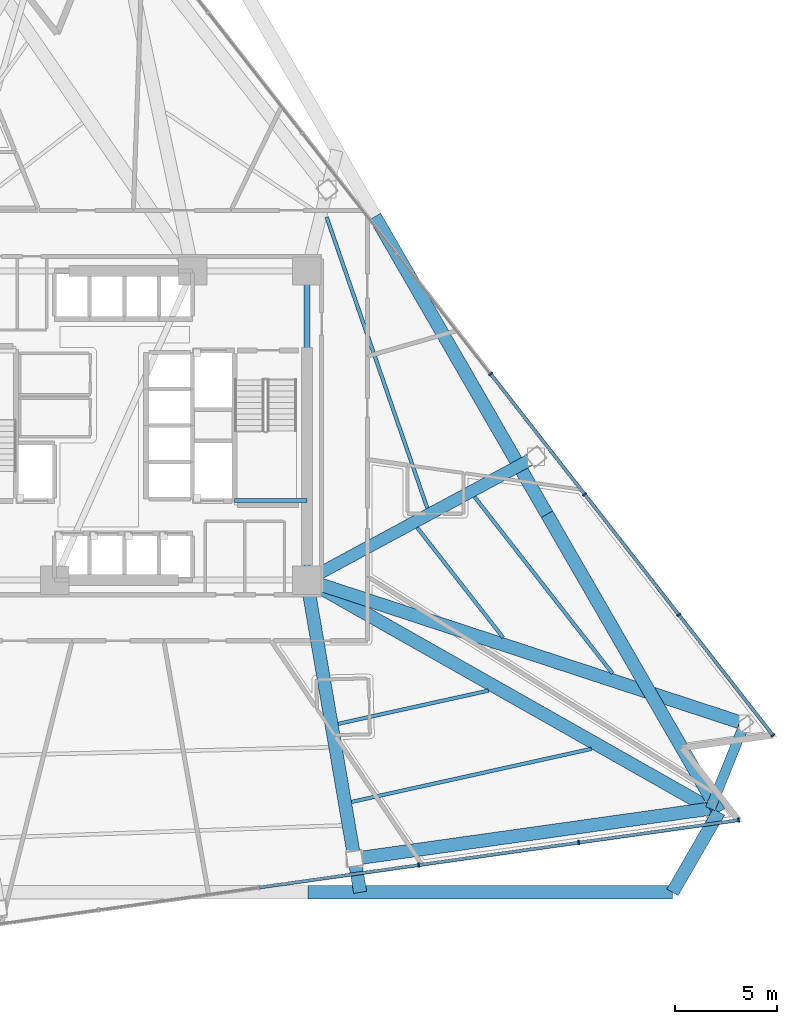
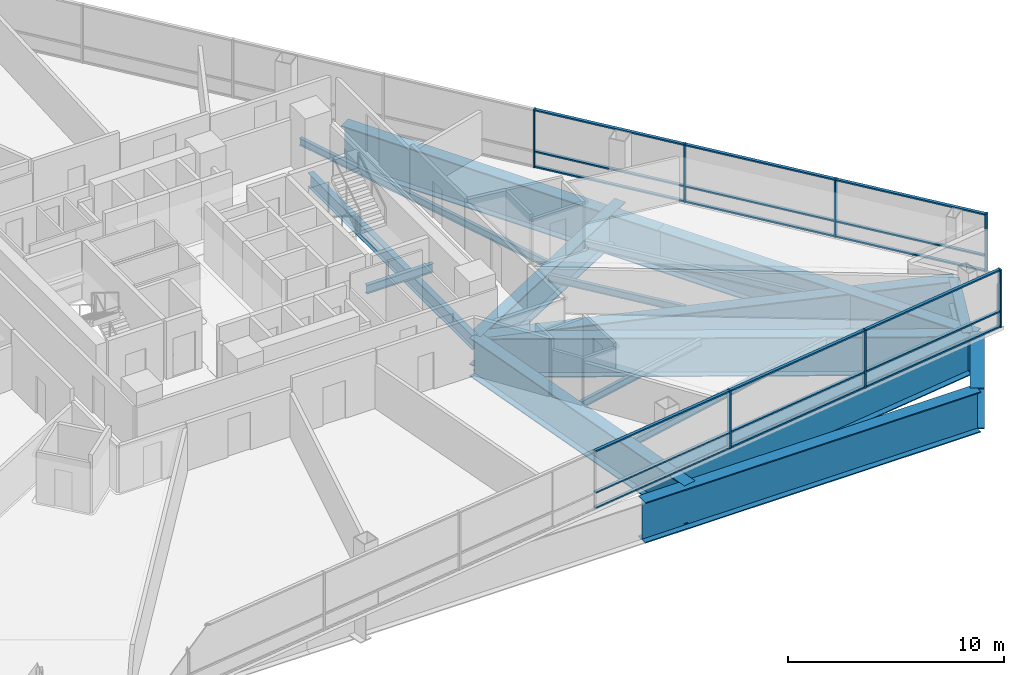
# One storey, part 4 of 15: 25 members, 17 beams, 2 elements without a shape of their own.
"""IFC4 building model written with IfcOpenShell, lengths in metres."""

from ifc_helpers import new_model, si_unit, direction, frame, origin, origin_2d, place, context, subcontext, project, spatial, rectangle, i_section, extrude, material, layer, layer_set, material_profile, profile_set, type_object, element, aggregate, save


model = new_model("IFC4")

# Units and contexts
model_context = context("Model", 3, precision=1e-05, world=origin(), true_north=direction((0.0, 1.0)))
body_context = subcontext(model_context, "Body", "Model", "MODEL_VIEW")
ifc_project = project(units=[si_unit("LENGTHUNIT", "METRE"), si_unit("AREAUNIT", "SQUARE_METRE"), si_unit("VOLUMEUNIT", "CUBIC_METRE"), si_unit("PLANEANGLEUNIT", "RADIAN"), si_unit("MASSUNIT", "GRAM", prefix="KILO")], contexts=[model_context])

# Site, building, storey
site_placement = place(None, origin())
site = spatial("IfcSite", under=ifc_project, at=site_placement, CompositionType="ELEMENT")
building_placement = place(site_placement, origin())
building = spatial("IfcBuilding", under=site, at=building_placement, Name="Tharavind Bronze Gate", CompositionType="ELEMENT")
storey_placement = place(building_placement, frame((0.0, 0.0, 57.0)))
storey = spatial("IfcBuildingStorey", under=building, at=storey_placement, Name="L13", CompositionType="ELEMENT", Elevation=57.0)

# Curtain wall, members
ifc_material_1 = material(Name="Anodised Bronze Aluminium", Category="aluminium")
ifc_layer = layer(ifc_material_1, 0.219970703125)
ifc_layer_set = layer_set([ifc_layer], Name="Anodised Bronze Aluminium")
curtain_wall_type = type_object("IfcCurtainWallType", Name="UNITISED CURTAIN WALL HOTEL", PredefinedType="USERDEFINED", material=ifc_layer_set)
curtain_wall_1_placement = place(storey_placement, origin())
curtain_wall_1 = element("IfcCurtainWall", 1, at=curtain_wall_1_placement, inside=storey, type_object=curtain_wall_type, Name="L13 unitised curtain wall hotel CW-L13-S2", ObjectType="UNITISED CURTAIN WALL", PredefinedType="USERDEFINED")
member_type_1 = type_object("IfcMemberType", Name="CURTAIN WALL MULLION 80X220", PredefinedType="MULLION", material=ifc_material_1)
member_1_placement = place(storey_placement, frame((14.39501953125, -21.610107421875, 0.0), z_axis=(0.0, 0.0, 1.0), x_axis=(0.990268068742, 0.13917310096, 0.0)))
member_1 = element("IfcMember", 2, at=member_1_placement, type_object=member_type_1, Name="CW-L13-S2 mullion 6", PredefinedType="MULLION", context=body_context, shape_type="SweptSolid", body=[
    extrude(rectangle(XDim=0.080078125, YDim=0.219970703125, at=origin_2d()), origin(), (0.0, 0.0, 1.0), 3.27490234375),
])
member_2_placement = place(storey_placement, frame((22.261474609375, -20.504638671875, 0.0), z_axis=(0.0, 0.0, 1.0), x_axis=(0.990268068742, 0.13917310096, 0.0)))
member_2 = element("IfcMember", 3, at=member_2_placement, type_object=member_type_1, Name="CW-L13-S2 mullion 7", PredefinedType="MULLION", context=body_context, shape_type="SweptSolid", body=[
    extrude(rectangle(XDim=0.080078125, YDim=0.219970703125, at=origin_2d()), origin(), (0.0, 0.0, 1.0), 3.27490234375),
])
member_3_placement = place(storey_placement, frame((30.127685546875, -19.399169921875, 0.0), z_axis=(0.0, 0.0, 1.0), x_axis=(0.990268068742, 0.13917310096, 0.0)))
member_3 = element("IfcMember", 4, at=member_3_placement, type_object=member_type_1, Name="CW-L13-S2 mullion 8", PredefinedType="MULLION", context=body_context, shape_type="SweptSolid", body=[
    extrude(rectangle(XDim=0.080078125, YDim=0.219970703125, at=origin_2d()), origin(), (0.0, 0.0, 1.0), 3.27490234375),
])

curtain_wall_2_placement = place(storey_placement, origin())
curtain_wall_2 = element("IfcCurtainWall", 5, at=curtain_wall_2_placement, inside=storey, type_object=curtain_wall_type, Name="L13 unitised curtain wall hotel CW-L13-S3", ObjectType="UNITISED CURTAIN WALL", PredefinedType="USERDEFINED")
member_4_placement = place(storey_placement, frame((31.8134765625, -15.226806640625, 0.0), z_axis=(0.0, 0.0, 1.0), x_axis=(-0.615661475326, 0.788010753607, 0.0)))
member_4 = element("IfcMember", 6, at=member_4_placement, type_object=member_type_1, Name="CW-L13-S3 mullion 1", PredefinedType="MULLION", context=body_context, shape_type="SweptSolid", body=[
    extrude(rectangle(XDim=0.080078125, YDim=0.219970703125, at=origin_2d()), origin(), (0.0, 0.0, 1.0), 3.27490234375),
])
member_5_placement = place(storey_placement, frame((27.186767578125, -9.3046875, 0.0), z_axis=(0.0, 0.0, 1.0), x_axis=(-0.615661475326, 0.788010753607, 0.0)))
member_5 = element("IfcMember", 7, at=member_5_placement, type_object=member_type_1, Name="CW-L13-S3 mullion 2", PredefinedType="MULLION", context=body_context, shape_type="SweptSolid", body=[
    extrude(rectangle(XDim=0.080078125, YDim=0.219970703125, at=origin_2d()), origin(), (0.0, 0.0, 1.0), 3.27490234375),
])
member_6_placement = place(storey_placement, frame((22.56005859375, -3.3828125, 0.0), z_axis=(0.0, 0.0, 1.0), x_axis=(-0.615661475326, 0.788010753607, 0.0)))
member_6 = element("IfcMember", 8, at=member_6_placement, type_object=member_type_1, Name="CW-L13-S3 mullion 3", PredefinedType="MULLION", context=body_context, shape_type="SweptSolid", body=[
    extrude(rectangle(XDim=0.080078125, YDim=0.219970703125, at=origin_2d()), origin(), (0.0, 0.0, 1.0), 3.27490234375),
])
member_7_placement = place(storey_placement, frame((17.933349609375, 2.5390625, 0.0), z_axis=(0.0, 0.0, 1.0), x_axis=(-0.615661475326, 0.788010753607, 0.0)))
member_7 = element("IfcMember", 9, at=member_7_placement, type_object=member_type_1, Name="CW-L13-S3 mullion 4", PredefinedType="MULLION", context=body_context, shape_type="SweptSolid", body=[
    extrude(rectangle(XDim=0.080078125, YDim=0.219970703125, at=origin_2d()), origin(), (0.0, 0.0, 1.0), 3.27490234375),
])

# Member
member_type_2 = type_object("IfcMemberType", Name="CURTAIN WALL TRANSOM 80X160", PredefinedType="USERDEFINED", material=ifc_material_1)
member_8_placement = place(storey_placement, frame((10.4619140625, -22.1630859375, 0.0), z_axis=(0.0, 0.0, 1.0), x_axis=(0.990268068742, 0.13917310096, 0.0)))
member_8 = element("IfcMember", 10, at=member_8_placement, type_object=member_type_2, Name="CW-L13-S2 transom TB5", ObjectType="TRANSOM", PredefinedType="USERDEFINED", context=body_context, shape_type="SweptSolid", body=[
    extrude(rectangle(XDim=7.87548828125, YDim=0.159912109375, at=origin_2d()), origin(), (0.0, 0.0, 1.0), 0.080078125),
])

member_9_placement = place(storey_placement, frame((10.4619140625, -22.1630859375, 0.85986328125), z_axis=(0.0, 0.0, 1.0), x_axis=(0.990268068742, 0.13917310096, 0.0)))
member_9 = element("IfcMember", 11, at=member_9_placement, type_object=member_type_2, Name="CW-L13-S2 transom TS5", ObjectType="TRANSOM", PredefinedType="USERDEFINED", context=body_context, shape_type="SweptSolid", body=[
    extrude(rectangle(XDim=7.87548828125, YDim=0.159912109375, at=origin_2d()), origin(), (0.0, 0.0, 1.0), 0.080078125),
])

member_10_placement = place(storey_placement, frame((10.4619140625, -22.1630859375, 3.195068359375), z_axis=(0.0, 0.0, 1.0), x_axis=(0.990268068742, 0.13917310096, 0.0)))
member_10 = element("IfcMember", 12, at=member_10_placement, type_object=member_type_2, Name="CW-L13-S2 transom TT5", ObjectType="TRANSOM", PredefinedType="USERDEFINED", context=body_context, shape_type="SweptSolid", body=[
    extrude(rectangle(XDim=7.87548828125, YDim=0.159912109375, at=origin_2d()), origin(), (0.0, 0.0, 1.0), 0.080078125),
])

member_11_placement = place(storey_placement, frame((18.328369140625, -21.057373046875, 0.0), z_axis=(0.0, 0.0, 1.0), x_axis=(0.990268068742, 0.13917310096, 0.0)))
member_11 = element("IfcMember", 13, at=member_11_placement, type_object=member_type_2, Name="CW-L13-S2 transom TB6", ObjectType="TRANSOM", PredefinedType="USERDEFINED", context=body_context, shape_type="SweptSolid", body=[
    extrude(rectangle(XDim=7.87548828125, YDim=0.159912109375, at=origin_2d()), origin(), (0.0, 0.0, 1.0), 0.080078125),
])

member_12_placement = place(storey_placement, frame((18.328369140625, -21.057373046875, 0.85986328125), z_axis=(0.0, 0.0, 1.0), x_axis=(0.990268068742, 0.13917310096, 0.0)))
member_12 = element("IfcMember", 14, at=member_12_placement, type_object=member_type_2, Name="CW-L13-S2 transom TS6", ObjectType="TRANSOM", PredefinedType="USERDEFINED", context=body_context, shape_type="SweptSolid", body=[
    extrude(rectangle(XDim=7.87548828125, YDim=0.159912109375, at=origin_2d()), origin(), (0.0, 0.0, 1.0), 0.080078125),
])

member_13_placement = place(storey_placement, frame((18.328369140625, -21.057373046875, 3.195068359375), z_axis=(0.0, 0.0, 1.0), x_axis=(0.990268068742, 0.13917310096, 0.0)))
member_13 = element("IfcMember", 15, at=member_13_placement, type_object=member_type_2, Name="CW-L13-S2 transom TT6", ObjectType="TRANSOM", PredefinedType="USERDEFINED", context=body_context, shape_type="SweptSolid", body=[
    extrude(rectangle(XDim=7.87548828125, YDim=0.159912109375, at=origin_2d()), origin(), (0.0, 0.0, 1.0), 0.080078125),
])

member_14_placement = place(storey_placement, frame((26.194580078125, -19.951904296875, 0.0), z_axis=(0.0, 0.0, 1.0), x_axis=(0.990268068742, 0.13917310096, 0.0)))
member_14 = element("IfcMember", 16, at=member_14_placement, type_object=member_type_2, Name="CW-L13-S2 transom TB7", ObjectType="TRANSOM", PredefinedType="USERDEFINED", context=body_context, shape_type="SweptSolid", body=[
    extrude(rectangle(XDim=7.87548828125, YDim=0.159912109375, at=origin_2d()), origin(), (0.0, 0.0, 1.0), 0.080078125),
])

member_15_placement = place(storey_placement, frame((26.194580078125, -19.951904296875, 0.85986328125), z_axis=(0.0, 0.0, 1.0), x_axis=(0.990268068742, 0.13917310096, 0.0)))
member_15 = element("IfcMember", 17, at=member_15_placement, type_object=member_type_2, Name="CW-L13-S2 transom TS7", ObjectType="TRANSOM", PredefinedType="USERDEFINED", context=body_context, shape_type="SweptSolid", body=[
    extrude(rectangle(XDim=7.87548828125, YDim=0.159912109375, at=origin_2d()), origin(), (0.0, 0.0, 1.0), 0.080078125),
])

member_16_placement = place(storey_placement, frame((26.194580078125, -19.951904296875, 3.195068359375), z_axis=(0.0, 0.0, 1.0), x_axis=(0.990268068742, 0.13917310096, 0.0)))
member_16 = element("IfcMember", 18, at=member_16_placement, type_object=member_type_2, Name="CW-L13-S2 transom TT7", ObjectType="TRANSOM", PredefinedType="USERDEFINED", context=body_context, shape_type="SweptSolid", body=[
    extrude(rectangle(XDim=7.87548828125, YDim=0.159912109375, at=origin_2d()), origin(), (0.0, 0.0, 1.0), 0.080078125),
])

aggregate(curtain_wall_1, [member_1, member_2, member_3, member_8, member_9, member_10, member_11, member_12, member_13, member_14, member_15, member_16])

member_17_placement = place(storey_placement, frame((29.5, -12.265869140625, 0.0), z_axis=(0.0, 0.0, 1.0), x_axis=(-0.615661475326, 0.788010753607, 0.0)))
member_17 = element("IfcMember", 19, at=member_17_placement, type_object=member_type_2, Name="CW-L13-S3 transom TB1", ObjectType="TRANSOM", PredefinedType="USERDEFINED", context=body_context, shape_type="SweptSolid", body=[
    extrude(rectangle(XDim=7.447021484375, YDim=0.159912109375, at=origin_2d()), origin(), (0.0, 0.0, 1.0), 0.080078125),
])

member_18_placement = place(storey_placement, frame((29.5, -12.265869140625, 0.85986328125), z_axis=(0.0, 0.0, 1.0), x_axis=(-0.615661475326, 0.788010753607, 0.0)))
member_18 = element("IfcMember", 20, at=member_18_placement, type_object=member_type_2, Name="CW-L13-S3 transom TS1", ObjectType="TRANSOM", PredefinedType="USERDEFINED", context=body_context, shape_type="SweptSolid", body=[
    extrude(rectangle(XDim=7.447021484375, YDim=0.159912109375, at=origin_2d()), origin(), (0.0, 0.0, 1.0), 0.080078125),
])

member_19_placement = place(storey_placement, frame((29.5, -12.265869140625, 3.195068359375), z_axis=(0.0, 0.0, 1.0), x_axis=(-0.615661475326, 0.788010753607, 0.0)))
member_19 = element("IfcMember", 21, at=member_19_placement, type_object=member_type_2, Name="CW-L13-S3 transom TT1", ObjectType="TRANSOM", PredefinedType="USERDEFINED", context=body_context, shape_type="SweptSolid", body=[
    extrude(rectangle(XDim=7.447021484375, YDim=0.159912109375, at=origin_2d()), origin(), (0.0, 0.0, 1.0), 0.080078125),
])

member_20_placement = place(storey_placement, frame((24.873291015625, -6.343994140625, 0.0), z_axis=(0.0, 0.0, 1.0), x_axis=(-0.615661475326, 0.788010753607, 0.0)))
member_20 = element("IfcMember", 22, at=member_20_placement, type_object=member_type_2, Name="CW-L13-S3 transom TB2", ObjectType="TRANSOM", PredefinedType="USERDEFINED", context=body_context, shape_type="SweptSolid", body=[
    extrude(rectangle(XDim=7.447021484375, YDim=0.159912109375, at=origin_2d()), origin(), (0.0, 0.0, 1.0), 0.080078125),
])

member_21_placement = place(storey_placement, frame((24.873291015625, -6.343994140625, 0.85986328125), z_axis=(0.0, 0.0, 1.0), x_axis=(-0.615661475326, 0.788010753607, 0.0)))
member_21 = element("IfcMember", 23, at=member_21_placement, type_object=member_type_2, Name="CW-L13-S3 transom TS2", ObjectType="TRANSOM", PredefinedType="USERDEFINED", context=body_context, shape_type="SweptSolid", body=[
    extrude(rectangle(XDim=7.447021484375, YDim=0.159912109375, at=origin_2d()), origin(), (0.0, 0.0, 1.0), 0.080078125),
])

member_22_placement = place(storey_placement, frame((24.873291015625, -6.343994140625, 3.195068359375), z_axis=(0.0, 0.0, 1.0), x_axis=(-0.615661475326, 0.788010753607, 0.0)))
member_22 = element("IfcMember", 24, at=member_22_placement, type_object=member_type_2, Name="CW-L13-S3 transom TT2", ObjectType="TRANSOM", PredefinedType="USERDEFINED", context=body_context, shape_type="SweptSolid", body=[
    extrude(rectangle(XDim=7.447021484375, YDim=0.159912109375, at=origin_2d()), origin(), (0.0, 0.0, 1.0), 0.080078125),
])

member_23_placement = place(storey_placement, frame((20.24658203125, -0.421875, 0.0), z_axis=(0.0, 0.0, 1.0), x_axis=(-0.615661475326, 0.788010753607, 0.0)))
member_23 = element("IfcMember", 25, at=member_23_placement, type_object=member_type_2, Name="CW-L13-S3 transom TB3", ObjectType="TRANSOM", PredefinedType="USERDEFINED", context=body_context, shape_type="SweptSolid", body=[
    extrude(rectangle(XDim=7.447021484375, YDim=0.159912109375, at=origin_2d()), origin(), (0.0, 0.0, 1.0), 0.080078125),
])

member_24_placement = place(storey_placement, frame((20.24658203125, -0.421875, 0.85986328125), z_axis=(0.0, 0.0, 1.0), x_axis=(-0.615661475326, 0.788010753607, 0.0)))
member_24 = element("IfcMember", 26, at=member_24_placement, type_object=member_type_2, Name="CW-L13-S3 transom TS3", ObjectType="TRANSOM", PredefinedType="USERDEFINED", context=body_context, shape_type="SweptSolid", body=[
    extrude(rectangle(XDim=7.447021484375, YDim=0.159912109375, at=origin_2d()), origin(), (0.0, 0.0, 1.0), 0.080078125),
])

member_25_placement = place(storey_placement, frame((20.24658203125, -0.421875, 3.195068359375), z_axis=(0.0, 0.0, 1.0), x_axis=(-0.615661475326, 0.788010753607, 0.0)))
member_25 = element("IfcMember", 27, at=member_25_placement, type_object=member_type_2, Name="CW-L13-S3 transom TT3", ObjectType="TRANSOM", PredefinedType="USERDEFINED", context=body_context, shape_type="SweptSolid", body=[
    extrude(rectangle(XDim=7.447021484375, YDim=0.159912109375, at=origin_2d()), origin(), (0.0, 0.0, 1.0), 0.080078125),
])

aggregate(curtain_wall_2, [member_4, member_5, member_6, member_7, member_17, member_18, member_19, member_20, member_21, member_22, member_23, member_24, member_25])

# Beams
ifc_material_2 = material(Name="Steel S355", Category="steel")
ifc_material_profile_1 = material_profile(ifc_material_2, i_section(OverallWidth=0.199951171875, OverallDepth=0.5, WebThickness=0.01025390625, FlangeThickness=0.01611328125, at=origin_2d()), Name="IPE500")
ifc_profile_set_1 = profile_set([ifc_material_profile_1], Name="Steel S355")
beam_type_1 = type_object("IfcBeamType", Name="PRIMARY GIRDER IPE500", PredefinedType="USERDEFINED", material=ifc_profile_set_1)
beam_1_placement = place(storey_placement, frame((5.35009765625, -3.679931640625, 1.27490234375), z_axis=(1.0, 0.0, 0.0), x_axis=(0.0, 1.0, 0.0)))
element("IfcBeam", 28, at=beam_1_placement, inside=storey, type_object=beam_type_1, Name="L13 primary girder ipe500 BM-LD-ST2-L13-1", ObjectType="GIRDER", PredefinedType="USERDEFINED", context=body_context, shape_type="SweptSolid", body=[
    extrude(i_section(OverallWidth=0.199951171875, OverallDepth=0.5, WebThickness=0.01025390625, FlangeThickness=0.01611328125, at=origin_2d()), origin(), (0.0, 0.0, 1.0), 3.5498046875),
])
ifc_material_profile_2 = material_profile(ifc_material_2, i_section(OverallWidth=0.300048828125, OverallDepth=0.800048828125, WebThickness=0.017578125, FlangeThickness=0.032958984375, at=origin_2d()), Name="HE800B")
ifc_profile_set_2 = profile_set([ifc_material_profile_2], Name="Steel S355")
beam_type_2 = type_object("IfcBeamType", Name="RING GIRDER HE800B", PredefinedType="USERDEFINED", material=ifc_profile_set_2)
beam_2_placement = place(storey_placement, frame((8.89990234375, -7.60009765625, -0.590087890625), z_axis=(0.0, 1.0, 0.0), x_axis=(-1.0, 0.0, 0.0)))
element("IfcBeam", 29, at=beam_2_placement, inside=storey, type_object=beam_type_2, Name="L13 ring girder he800b BM-L13-CR3", ObjectType="GIRDER", PredefinedType="USERDEFINED", context=body_context, shape_type="SweptSolid", body=[
    extrude(i_section(OverallWidth=0.300048828125, OverallDepth=0.800048828125, WebThickness=0.017578125, FlangeThickness=0.032958984375, at=origin_2d()), origin(), (0.0, 0.0, 1.0), 15.2001953125),
])
ifc_material_profile_3 = material_profile(ifc_material_2, i_section(OverallWidth=0.179931640625, OverallDepth=0.39990234375, WebThickness=0.008544921875, FlangeThickness=0.013427734375, at=origin_2d()), Name="IPE400")
ifc_profile_set_3 = profile_set([ifc_material_profile_3], Name="Steel S355")
beam_type_3 = type_object("IfcBeamType", Name="SECONDARY FLOOR JOIST IPE400", PredefinedType="JOIST", material=ifc_profile_set_3)
beam_3_placement = place(storey_placement, frame((10.44091796875, -14.66650390625, -0.389892578125), z_axis=(0.976408311356, 0.215932418861, 0.0), x_axis=(-0.215932418861, 0.976408311356, 0.0)))
element("IfcBeam", 30, at=beam_3_placement, inside=storey, type_object=beam_type_3, Name="L13 secondary floor joist ipe400 BM-L13-JSTA07", PredefinedType="JOIST", context=body_context, shape_type="SweptSolid", body=[
    extrude(i_section(OverallWidth=0.179931640625, OverallDepth=0.39990234375, WebThickness=0.008544921875, FlangeThickness=0.013427734375, at=origin_2d()), origin(), (0.0, 0.0, 1.0), 7.56396484375),
])
beam_4_placement = place(storey_placement, frame((11.0966796875, -18.504150390625, -0.389892578125), z_axis=(0.976399792291, 0.215970936967, 0.0), x_axis=(-0.215970936967, 0.976399792291, 0.0)))
element("IfcBeam", 31, at=beam_4_placement, inside=storey, type_object=beam_type_3, Name="L13 secondary floor joist ipe400 BM-L13-JSTB07", PredefinedType="JOIST", context=body_context, shape_type="SweptSolid", body=[
    extrude(i_section(OverallWidth=0.179931640625, OverallDepth=0.39990234375, WebThickness=0.008544921875, FlangeThickness=0.013427734375, at=origin_2d()), origin(), (0.0, 0.0, 1.0), 12.07080078125),
])
beam_5_placement = place(storey_placement, frame((18.546142578125, -10.422119140625, -0.389892578125), z_axis=(-0.615650261894, 0.788019514371, 0.0), x_axis=(-0.788019514371, -0.615650261894, 0.0)))
element("IfcBeam", 32, at=beam_5_placement, inside=storey, type_object=beam_type_3, Name="L13 secondary floor joist ipe400 BM-L13-JSTA09", PredefinedType="JOIST", context=body_context, shape_type="SweptSolid", body=[
    extrude(i_section(OverallWidth=0.179931640625, OverallDepth=0.39990234375, WebThickness=0.008544921875, FlangeThickness=0.013427734375, at=origin_2d()), origin(), (0.0, 0.0, 1.0), 6.855224609375),
])
beam_6_placement = place(storey_placement, frame((23.9267578125, -12.188232421875, -0.389892578125), z_axis=(-0.615650489404, 0.788019336626, 0.0), x_axis=(-0.788019336626, -0.615650489404, 0.0)))
element("IfcBeam", 33, at=beam_6_placement, inside=storey, type_object=beam_type_3, Name="L13 secondary floor joist ipe400 BM-L13-JSTB09", PredefinedType="JOIST", context=body_context, shape_type="SweptSolid", body=[
    extrude(i_section(OverallWidth=0.179931640625, OverallDepth=0.39990234375, WebThickness=0.008544921875, FlangeThickness=0.013427734375, at=origin_2d()), origin(), (0.0, 0.0, 1.0), 11.022216796875),
])
beam_7_placement = place(storey_placement, frame((14.823486328125, -4.061279296875, -0.389892578125), z_axis=(-0.327070692771, 0.944999874037, 0.0), x_axis=(-0.944999874037, -0.327070692771, 0.0)))
element("IfcBeam", 34, at=beam_7_placement, inside=storey, type_object=beam_type_3, Name="L13 secondary floor joist ipe400 BM-L13-JSTA10", PredefinedType="JOIST", context=body_context, shape_type="SweptSolid", body=[
    extrude(i_section(OverallWidth=0.179931640625, OverallDepth=0.39990234375, WebThickness=0.008544921875, FlangeThickness=0.013427734375, at=origin_2d()), origin(), (0.0, 0.0, 1.0), 15.142333984375),
])
ifc_material_3 = material(Name="Steel S460", Category="steel")
ifc_material_profile_4 = material_profile(ifc_material_3, i_section(OverallWidth=0.5, OverallDepth=1.5, WebThickness=0.028076171875, FlangeThickness=0.050048828125, at=origin_2d()), Name="PG1500X500")
ifc_profile_set_4 = profile_set([ifc_material_profile_4], Name="Steel S460")
beam_type_4 = type_object("IfcBeamType", Name="TRANSFER GIRDER 1500X500", PredefinedType="USERDEFINED", material=ifc_profile_set_4)
beam_8_placement = place(storey_placement, frame((28.737060546875, -18.837158203125, -0.93994140625), z_axis=(0.374568898324, 0.927199083481, 0.0), x_axis=(-0.927199083481, 0.374568898324, 0.0)))
element("IfcBeam", 35, at=beam_8_placement, inside=storey, type_object=beam_type_4, Name="L13 transfer girder 1500x500 BM-L13-URG08", ObjectType="TRANSFER GIRDER", PredefinedType="USERDEFINED", context=body_context, shape_type="SweptSolid", body=[
    extrude(i_section(OverallWidth=0.5, OverallDepth=1.5, WebThickness=0.028076171875, FlangeThickness=0.050048828125, at=origin_2d()), origin(), (0.0, 0.0, 1.0), 4.5),
])
ifc_material_profile_5 = material_profile(ifc_material_3, i_section(OverallWidth=0.60009765625, OverallDepth=1.800048828125, WebThickness=0.031982421875, FlangeThickness=0.054931640625, at=origin_2d()), Name="PG1800X600")
ifc_profile_set_5 = profile_set([ifc_material_profile_5], Name="Steel S460")
beam_type_5 = type_object("IfcBeamType", Name="TRANSFER GIRDER 1800X600", PredefinedType="USERDEFINED", material=ifc_profile_set_5)
beam_9_placement = place(storey_placement, frame((8.89990234375, -7.60009765625, -1.090087890625), z_axis=(0.880223404357, 0.474559541493, 0.0), x_axis=(-0.474559541493, 0.880223404357, 0.0)))
element("IfcBeam", 36, at=beam_9_placement, inside=storey, type_object=beam_type_5, Name="L13 transfer girder 1800x600 BM-L13-XFR10", ObjectType="TRANSFER GIRDER", PredefinedType="USERDEFINED", context=body_context, shape_type="SweptSolid", body=[
    extrude(i_section(OverallWidth=0.60009765625, OverallDepth=1.800048828125, WebThickness=0.031982421875, FlangeThickness=0.054931640625, at=origin_2d()), origin(), (0.0, 0.0, 1.0), 12.79248046875),
])
ifc_material_profile_6 = material_profile(ifc_material_3, i_section(OverallWidth=0.64990234375, OverallDepth=2.199951171875, WebThickness=0.035888671875, FlangeThickness=0.054931640625, at=origin_2d()), Name="PG2200X650")
ifc_profile_set_6 = profile_set([ifc_material_profile_6], Name="Steel S460")
beam_type_6 = type_object("IfcBeamType", Name="TRANSFER GIRDER 2200X650", PredefinedType="USERDEFINED", material=ifc_profile_set_6)
beam_10_placement = place(storey_placement, frame((11.23974609375, -21.29638671875, -1.2900390625), z_axis=(0.990266966294, 0.13918094506, 0.0), x_axis=(-0.13918094506, 0.990266966294, 0.0)))
element("IfcBeam", 37, at=beam_10_placement, inside=storey, type_object=beam_type_6, Name="L13 transfer girder 2200x650 BM-L13-URG07", ObjectType="TRANSFER GIRDER", PredefinedType="USERDEFINED", context=body_context, shape_type="SweptSolid", body=[
    extrude(i_section(OverallWidth=0.64990234375, OverallDepth=2.199951171875, WebThickness=0.035888671875, FlangeThickness=0.054931640625, at=origin_2d()), origin(), (0.0, 0.0, 1.0), 17.669189453125),
])
beam_11_placement = place(storey_placement, frame((8.89990234375, -7.60009765625, -1.2900390625), z_axis=(0.168396782729, -0.98571929248, 0.0), x_axis=(0.98571929248, 0.168396782729, 0.0)))
element("IfcBeam", 38, at=beam_11_placement, inside=storey, type_object=beam_type_6, Name="L13 transfer girder 2200x650 BM-L13-XFR07", ObjectType="TRANSFER GIRDER", PredefinedType="USERDEFINED", context=body_context, shape_type="SweptSolid", body=[
    extrude(i_section(OverallWidth=0.64990234375, OverallDepth=2.199951171875, WebThickness=0.035888671875, FlangeThickness=0.054931640625, at=origin_2d()), origin(), (0.0, 0.0, 1.0), 15.572265625),
])
beam_12_placement = place(storey_placement, frame((8.89990234375, -7.60009765625, -1.2900390625), z_axis=(0.870097262763, -0.492880059783, 0.0), x_axis=(0.492880059783, 0.870097262763, 0.0)))
element("IfcBeam", 39, at=beam_12_placement, inside=storey, type_object=beam_type_6, Name="L13 transfer girder 2200x650 BM-L13-XFR08", ObjectType="TRANSFER GIRDER", PredefinedType="USERDEFINED", context=body_context, shape_type="SweptSolid", body=[
    extrude(i_section(OverallWidth=0.64990234375, OverallDepth=2.199951171875, WebThickness=0.035888671875, FlangeThickness=0.054931640625, at=origin_2d()), origin(), (0.0, 0.0, 1.0), 23.244140625),
])
beam_13_placement = place(storey_placement, frame((8.89990234375, -7.60009765625, -1.2900390625), z_axis=(0.950123985447, -0.311872429494, 0.0), x_axis=(0.311872429494, 0.950123985447, 0.0)))
element("IfcBeam", 40, at=beam_13_placement, inside=storey, type_object=beam_type_6, Name="L13 transfer girder 2200x650 BM-L13-XFR09", ObjectType="TRANSFER GIRDER", PredefinedType="USERDEFINED", context=body_context, shape_type="SweptSolid", body=[
    extrude(i_section(OverallWidth=0.64990234375, OverallDepth=2.199951171875, WebThickness=0.035888671875, FlangeThickness=0.054931640625, at=origin_2d()), origin(), (0.0, 0.0, 1.0), 22.652587890625),
])
ifc_material_profile_7 = material_profile(ifc_material_3, i_section(OverallWidth=0.64990234375, OverallDepth=2.300048828125, WebThickness=0.035888671875, FlangeThickness=0.05810546875, at=origin_2d()), Name="PG2300X650")
ifc_profile_set_7 = profile_set([ifc_material_profile_7], Name="Steel S460")
beam_type_7 = type_object("IfcBeamType", Name="TRANSFER GIRDER 2300X650", PredefinedType="USERDEFINED", material=ifc_profile_set_7)
beam_14_placement = place(storey_placement, frame((8.958984375, -22.949951171875, -1.340087890625), z_axis=(1.0, 0.0, 0.0), x_axis=(0.0, 1.0, 0.0)))
element("IfcBeam", 41, at=beam_14_placement, inside=storey, type_object=beam_type_7, Name="L13 transfer girder 2300x650 BM-L13-LRG07", ObjectType="TRANSFER GIRDER", PredefinedType="USERDEFINED", context=body_context, shape_type="SweptSolid", body=[
    extrude(i_section(OverallWidth=0.64990234375, OverallDepth=2.300048828125, WebThickness=0.035888671875, FlangeThickness=0.05810546875, at=origin_2d()), origin(), (0.0, 0.0, 1.0), 17.917724609375),
])
beam_15_placement = place(storey_placement, frame((26.876708984375, -22.949951171875, -1.340087890625), z_axis=(0.500014431597, 0.866017071537, 0.0), x_axis=(-0.866017071537, 0.500014431597, 0.0)))
element("IfcBeam", 42, at=beam_15_placement, inside=storey, type_object=beam_type_7, Name="L13 transfer girder 2300x650 BM-L13-LRG08", ObjectType="TRANSFER GIRDER", PredefinedType="USERDEFINED", context=body_context, shape_type="SweptSolid", body=[
    extrude(i_section(OverallWidth=0.64990234375, OverallDepth=2.300048828125, WebThickness=0.035888671875, FlangeThickness=0.05810546875, at=origin_2d()), origin(), (0.0, 0.0, 1.0), 4.559814453125),
])
for number, where, z_axis, x_axis, name in (
    (43, (29.15673828125, -19.0009765625, -1.340087890625), (-0.4999912383, 0.866030462295, 0.0), (-0.866030462295, -0.4999912383, 0.0), "L13 transfer girder 2300x650 BM-L13-LRG09"),
    (44, (20.70458984375, -4.361083984375, -1.340087890625), (-0.50000832373, 0.866020598023, 0.0), (-0.866020598023, -0.50000832373, 0.0), "L13 transfer girder 2300x650 BM-L13-LRG10"),
):
    element("IfcBeam", number, at=place(storey_placement, frame(where, z_axis=z_axis, x_axis=x_axis)), inside=storey, type_object=beam_type_7, Name=name, ObjectType="TRANSFER GIRDER", PredefinedType="USERDEFINED", context=body_context, shape_type="SweptSolid", body=[
        extrude(i_section(OverallWidth=0.64990234375, OverallDepth=2.300048828125, WebThickness=0.035888671875, FlangeThickness=0.05810546875, at=origin_2d()), origin(), (0.0, 0.0, 1.0), 16.904541015625),
    ])

save(model, "model.ifc")
